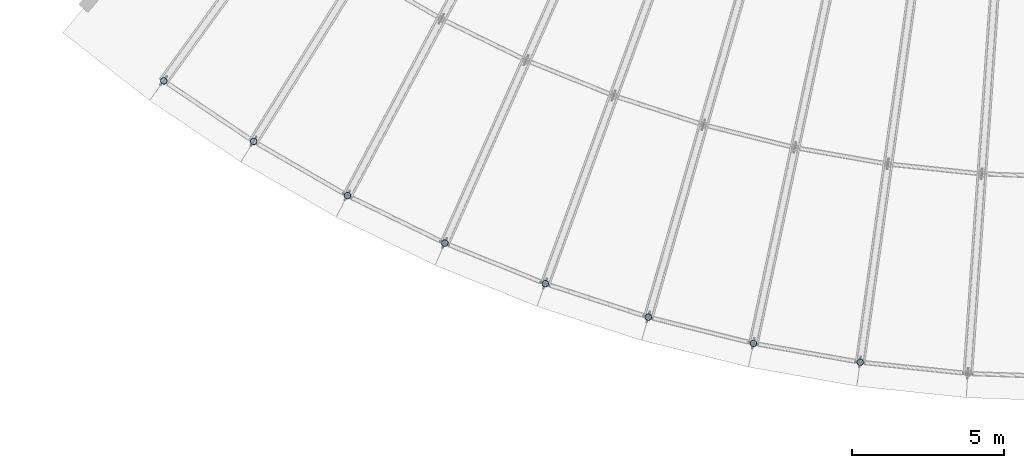
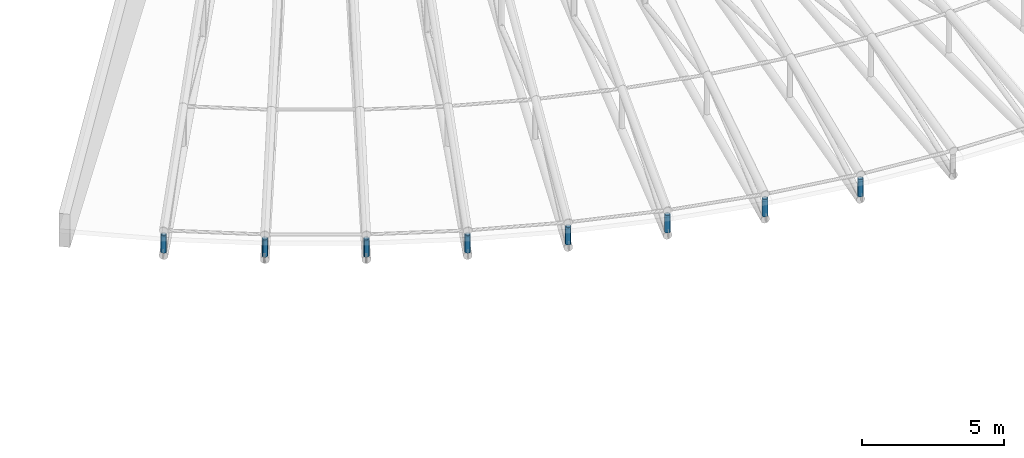
# One storey, part 78 of 163: 8 members.
"""IFC4 building model written with IfcOpenShell, lengths in metres."""

from ifc_helpers import new_model, si_unit, direction, frame, origin, origin_2d, place, context, subcontext, project, spatial, hollow_circle, extrude, material, material_profile, profile_set, type_object, element, save


model = new_model("IFC4")

# Units and contexts
model_context = context("Model", 3, precision=1e-05, world=origin(), true_north=direction((0.0, 1.0)))
body_context = subcontext(model_context, "Body", "Model", "MODEL_VIEW")
ifc_project = project(units=[si_unit("LENGTHUNIT", "METRE"), si_unit("AREAUNIT", "SQUARE_METRE"), si_unit("VOLUMEUNIT", "CUBIC_METRE"), si_unit("PLANEANGLEUNIT", "RADIAN"), si_unit("MASSUNIT", "GRAM", prefix="KILO")], contexts=[model_context])

# Site, building, storey
site_placement = place(None, origin())
site = spatial("IfcSite", under=ifc_project, at=site_placement, CompositionType="ELEMENT")
building_placement = place(site_placement, origin())
building = spatial("IfcBuilding", under=site, at=building_placement, Name="Rain Tree Exposition and Congress Centre", CompositionType="ELEMENT")
storey_placement = place(building_placement, frame((0.0, 0.0, 10.5)))
storey = spatial("IfcBuildingStorey", under=building, at=storey_placement, Name="L02", CompositionType="ELEMENT", Elevation=10.5)

# Members
ifc_material = material(Name="Steel S355J2H", Category="steel")
ifc_material_profile = material_profile(ifc_material, hollow_circle(Radius=0.108154296875, WallThickness=0.008056640625, at=origin_2d()), Name="CHS 216x8")
ifc_profile_set = profile_set([ifc_material_profile], Name="Steel S355J2H")
member_type = type_object("IfcMemberType", Name="Steel post member CHS 216x8", PredefinedType="POST", material=ifc_profile_set)
for number, where, z_axis, x_axis, name in (
    (1, (171.50537109375, 25.7783203125, 0.318603515625), (0.0, 0.0, 1.0), (1.0, 0.0, 0.0), "TP1-0"),
    (2, (174.468017578125, 23.77978515625, 0.318603515625), (0.0, 0.0, 1.0), (1.0, 0.0, 0.0), "TP2-0"),
    (3, (177.56298828125, 21.9931640625, 0.318603515625), (0.0, 0.0, 1.0), (1.0, 0.0, 0.0), "TP3-0"),
    (4, (180.775146484375, 20.426513671875, 0.318603515625), (0.0, 0.0, 1.0), (1.0, 0.0, 0.0), "TP4-0"),
    (5, (184.088623046875, 19.087646484375, 0.318603515625), (0.0, 0.0, 1.0), (1.0, 0.0, 0.0), "TP5-0"),
    (6, (187.4873046875, 17.9833984375, 0.318603515625), (0.0, 0.0, 1.0), (1.0, 0.0, 0.0), "TP6-0"),
    (7, (190.954833984375, 17.118896484375, 0.318603515625), (0.0, 0.0, 1.0), (1.0, 0.0, 0.0), "TP7-0"),
    (8, (194.474365234375, 16.498291015625, 0.318603515625), (0.0, 0.0, 1.0), (1.0, 0.0, 0.0), "TP8-0"),
):
    element("IfcMember", number, at=place(storey_placement, frame(where, z_axis=z_axis, x_axis=x_axis)), inside=storey, type_object=member_type, Name=name, PredefinedType="POST", context=body_context, shape_type="SweptSolid", body=[
        extrude(hollow_circle(Radius=0.108154296875, WallThickness=0.008056640625, at=origin_2d()), origin(), (0.0, 0.0, 1.0), 0.74951171875),
    ])

save(model, "model.ifc")
